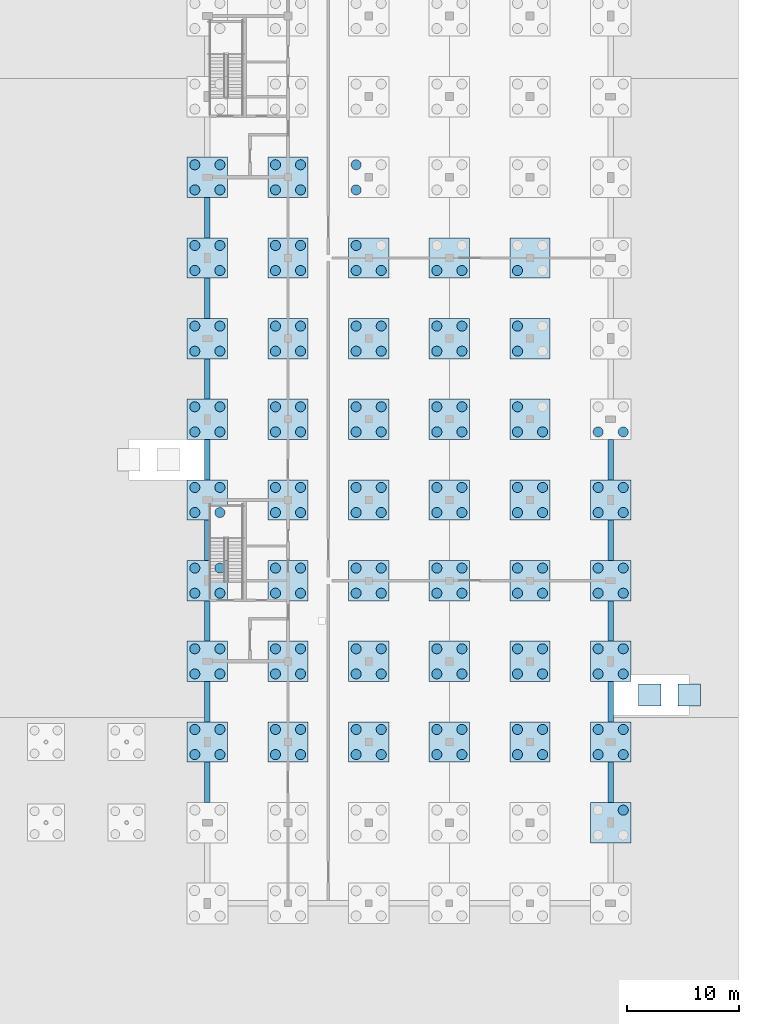
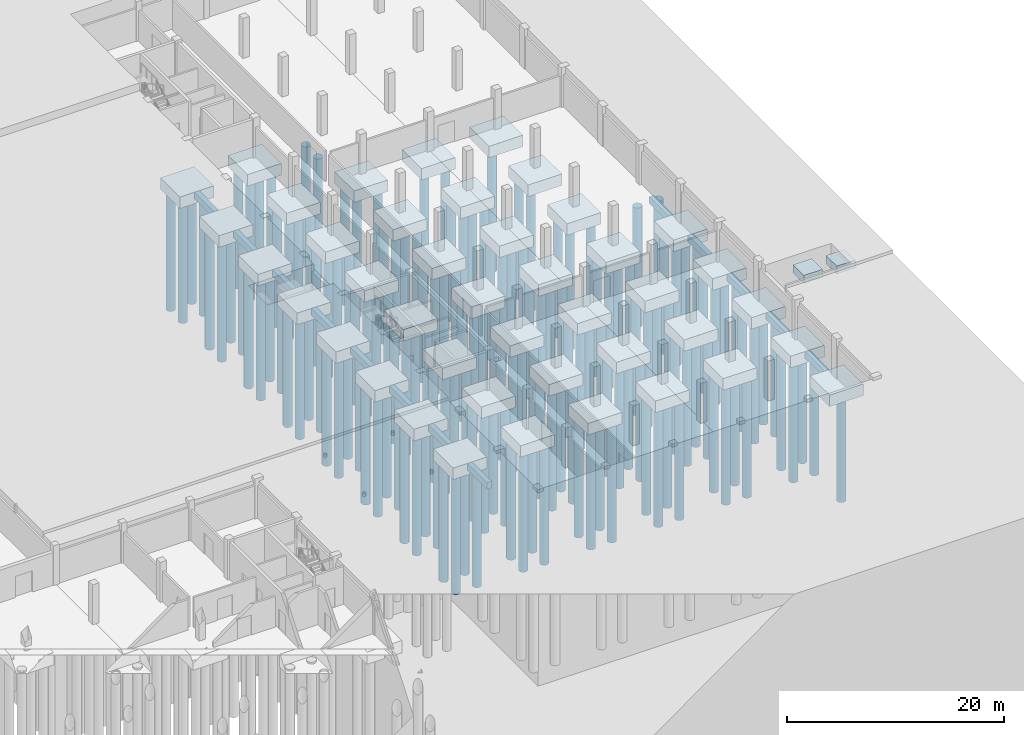
# One storey, part 7 of 51: 160 piles, 57 footings.
"""IFC4 building model written with IfcOpenShell, lengths in metres."""

from ifc_helpers import new_model, si_unit, direction, frame, origin, origin_2d, place, context, subcontext, project, spatial, rectangle, circle, extrude, material, material_profile, profile_set, type_object, element, save


model = new_model("IFC4")

# Units and contexts
model_context = context("Model", 3, precision=1e-05, world=origin(), true_north=direction((0.0, 1.0)))
body_context = subcontext(model_context, "Body", "Model", "MODEL_VIEW")
ifc_project = project(units=[si_unit("LENGTHUNIT", "METRE"), si_unit("AREAUNIT", "SQUARE_METRE"), si_unit("VOLUMEUNIT", "CUBIC_METRE"), si_unit("PLANEANGLEUNIT", "RADIAN"), si_unit("MASSUNIT", "GRAM", prefix="KILO")], contexts=[model_context])

# Site, building, storey
site_placement = place(None, origin())
site = spatial("IfcSite", under=ifc_project, at=site_placement, CompositionType="ELEMENT")
building_placement = place(site_placement, origin())
building = spatial("IfcBuilding", under=site, at=building_placement, Name="Zlatovets Crest Museum", CompositionType="ELEMENT")
storey_placement = place(building_placement, frame((0.0, 0.0, -4.5)))
storey = spatial("IfcBuildingStorey", under=building, at=storey_placement, Name="B1", CompositionType="ELEMENT", Elevation=-4.5)

# Piles
ifc_material = material(Name="Concrete C35/45", Category="concrete")
ifc_material_profile_1 = material_profile(ifc_material, circle(Radius=0.449951171875, at=origin_2d()), Name="PILE D900")
ifc_profile_set_1 = profile_set([ifc_material_profile_1], Name="Concrete C35/45")
pile_type = type_object("IfcPileType", Name="BoredPile_PL-04", PredefinedType="BORED", material=ifc_profile_set_1)
for number, where, z_axis, x_axis, name in (
    (1, (128.47998046875, 27.679931640625, -1.550048828125), (0.0, 0.0, -1.0), (1.0, 0.0, 0.0), "Bored pile PL-04 V5-X00Y02.1"),
    (2, (128.47998046875, 29.919921875, -1.550048828125), (0.0, 0.0, -1.0), (1.0, 0.0, 0.0), "Bored pile PL-04 V5-X00Y02.2"),
    (3, (130.719970703125, 27.679931640625, -1.550048828125), (0.0, 0.0, -1.0), (1.0, 0.0, 0.0), "Bored pile PL-04 V5-X00Y02.3"),
    (4, (130.719970703125, 29.919921875, -1.550048828125), (0.0, 0.0, -1.0), (1.0, 0.0, 0.0), "Bored pile PL-04 V5-X00Y02.4"),
    (5, (128.47998046875, 34.8798828125, -1.550048828125), (0.0, 0.0, -1.0), (1.0, 0.0, 0.0), "Bored pile PL-04 V5-X00Y03.1"),
    (6, (128.47998046875, 37.1201171875, -1.550048828125), (0.0, 0.0, -1.0), (1.0, 0.0, 0.0), "Bored pile PL-04 V5-X00Y03.2"),
    (7, (130.719970703125, 34.8798828125, -1.550048828125), (0.0, 0.0, -1.0), (1.0, 0.0, 0.0), "Bored pile PL-04 V5-X00Y03.3"),
    (8, (130.719970703125, 37.1201171875, -1.550048828125), (0.0, 0.0, -1.0), (1.0, 0.0, 0.0), "Bored pile PL-04 V5-X00Y03.4"),
    (9, (128.47998046875, 42.080078125, -1.550048828125), (0.0, 0.0, -1.0), (1.0, 0.0, 0.0), "Bored pile PL-04 V5-X00Y04.1"),
    (10, (128.47998046875, 44.320068359375, -1.550048828125), (0.0, 0.0, -1.0), (1.0, 0.0, 0.0), "Bored pile PL-04 V5-X00Y04.2"),
    (11, (130.719970703125, 42.080078125, -1.550048828125), (0.0, 0.0, -1.0), (1.0, 0.0, 0.0), "Bored pile PL-04 V5-X00Y04.3"),
    (12, (130.719970703125, 44.320068359375, -1.550048828125), (0.0, 0.0, -1.0), (1.0, 0.0, 0.0), "Bored pile PL-04 V5-X00Y04.4"),
    (13, (128.47998046875, 49.280029296875, -1.550048828125), (0.0, 0.0, -1.0), (1.0, 0.0, 0.0), "Bored pile PL-04 V5-X00Y05.1"),
    (14, (128.47998046875, 51.52001953125, -1.550048828125), (0.0, 0.0, -1.0), (1.0, 0.0, 0.0), "Bored pile PL-04 V5-X00Y05.2"),
    (15, (130.719970703125, 49.280029296875, -1.550048828125), (0.0, 0.0, -1.0), (1.0, 0.0, 0.0), "Bored pile PL-04 V5-X00Y05.3"),
    (16, (130.719970703125, 51.52001953125, -1.550048828125), (0.0, 0.0, -1.0), (1.0, 0.0, 0.0), "Bored pile PL-04 V5-X00Y05.4"),
    (17, (128.47998046875, 56.47998046875, -1.550048828125), (0.0, 0.0, -1.0), (1.0, 0.0, 0.0), "Bored pile PL-04 V5-X00Y06.1"),
    (18, (128.47998046875, 58.719970703125, -1.550048828125), (0.0, 0.0, -1.0), (1.0, 0.0, 0.0), "Bored pile PL-04 V5-X00Y06.2"),
    (19, (130.719970703125, 56.47998046875, -1.550048828125), (0.0, 0.0, -1.0), (1.0, 0.0, 0.0), "Bored pile PL-04 V5-X00Y06.3"),
    (20, (130.719970703125, 58.719970703125, -1.550048828125), (0.0, 0.0, -1.0), (1.0, 0.0, 0.0), "Bored pile PL-04 V5-X00Y06.4"),
    (21, (128.47998046875, 63.679931640625, -1.550048828125), (0.0, 0.0, -1.0), (1.0, 0.0, 0.0), "Bored pile PL-04 V5-X00Y07.1"),
    (22, (128.47998046875, 65.919921875, -1.550048828125), (0.0, 0.0, -1.0), (1.0, 0.0, 0.0), "Bored pile PL-04 V5-X00Y07.2"),
    (23, (130.719970703125, 63.679931640625, -1.550048828125), (0.0, 0.0, -1.0), (1.0, 0.0, 0.0), "Bored pile PL-04 V5-X00Y07.3"),
    (24, (130.719970703125, 65.919921875, -1.550048828125), (0.0, 0.0, -1.0), (1.0, 0.0, 0.0), "Bored pile PL-04 V5-X00Y07.4"),
    (25, (128.47998046875, 70.8798828125, -1.550048828125), (0.0, 0.0, -1.0), (1.0, 0.0, 0.0), "Bored pile PL-04 V5-X00Y08.1"),
    (26, (128.47998046875, 73.1201171875, -1.550048828125), (0.0, 0.0, -1.0), (1.0, 0.0, 0.0), "Bored pile PL-04 V5-X00Y08.2"),
    (27, (130.719970703125, 70.8798828125, -1.550048828125), (0.0, 0.0, -1.0), (1.0, 0.0, 0.0), "Bored pile PL-04 V5-X00Y08.3"),
    (28, (130.719970703125, 73.1201171875, -1.550048828125), (0.0, 0.0, -1.0), (1.0, 0.0, 0.0), "Bored pile PL-04 V5-X00Y08.4"),
    (29, (128.47998046875, 78.080078125, -1.550048828125), (0.0, 0.0, -1.0), (1.0, 0.0, 0.0), "Bored pile PL-04 V5-X00Y09.1"),
    (30, (128.47998046875, 80.320068359375, -1.550048828125), (0.0, 0.0, -1.0), (1.0, 0.0, 0.0), "Bored pile PL-04 V5-X00Y09.2"),
    (31, (130.719970703125, 78.080078125, -1.550048828125), (0.0, 0.0, -1.0), (1.0, 0.0, 0.0), "Bored pile PL-04 V5-X00Y09.3"),
    (32, (130.719970703125, 80.320068359375, -1.550048828125), (0.0, 0.0, -1.0), (1.0, 0.0, 0.0), "Bored pile PL-04 V5-X00Y09.4"),
    (33, (135.679931640625, 27.679931640625, -1.550048828125), (0.0, 0.0, -1.0), (1.0, 0.0, 0.0), "Bored pile PL-04 V5-X01Y02.1"),
    (34, (135.679931640625, 29.919921875, -1.550048828125), (0.0, 0.0, -1.0), (1.0, 0.0, 0.0), "Bored pile PL-04 V5-X01Y02.2"),
    (35, (137.919921875, 27.679931640625, -1.550048828125), (0.0, 0.0, -1.0), (1.0, 0.0, 0.0), "Bored pile PL-04 V5-X01Y02.3"),
    (36, (137.919921875, 29.919921875, -1.550048828125), (0.0, 0.0, -1.0), (1.0, 0.0, 0.0), "Bored pile PL-04 V5-X01Y02.4"),
    (37, (135.679931640625, 34.8798828125, -1.550048828125), (0.0, 0.0, -1.0), (1.0, 0.0, 0.0), "Bored pile PL-04 V5-X01Y03.1"),
    (38, (135.679931640625, 37.1201171875, -1.550048828125), (0.0, 0.0, -1.0), (1.0, 0.0, 0.0), "Bored pile PL-04 V5-X01Y03.2"),
    (39, (137.919921875, 34.8798828125, -1.550048828125), (0.0, 0.0, -1.0), (1.0, 0.0, 0.0), "Bored pile PL-04 V5-X01Y03.3"),
    (40, (137.919921875, 37.1201171875, -1.550048828125), (0.0, 0.0, -1.0), (1.0, 0.0, 0.0), "Bored pile PL-04 V5-X01Y03.4"),
    (41, (135.679931640625, 42.080078125, -1.550048828125), (0.0, 0.0, -1.0), (1.0, 0.0, 0.0), "Bored pile PL-04 V5-X01Y04.1"),
    (42, (135.679931640625, 44.320068359375, -1.550048828125), (0.0, 0.0, -1.0), (1.0, 0.0, 0.0), "Bored pile PL-04 V5-X01Y04.2"),
    (43, (137.919921875, 42.080078125, -1.550048828125), (0.0, 0.0, -1.0), (1.0, 0.0, 0.0), "Bored pile PL-04 V5-X01Y04.3"),
    (44, (137.919921875, 44.320068359375, -1.550048828125), (0.0, 0.0, -1.0), (1.0, 0.0, 0.0), "Bored pile PL-04 V5-X01Y04.4"),
    (45, (135.679931640625, 49.280029296875, -1.550048828125), (0.0, 0.0, -1.0), (1.0, 0.0, 0.0), "Bored pile PL-04 V5-X01Y05.1"),
    (46, (135.679931640625, 51.52001953125, -1.550048828125), (0.0, 0.0, -1.0), (1.0, 0.0, 0.0), "Bored pile PL-04 V5-X01Y05.2"),
    (47, (137.919921875, 49.280029296875, -1.550048828125), (0.0, 0.0, -1.0), (1.0, 0.0, 0.0), "Bored pile PL-04 V5-X01Y05.3"),
    (48, (137.919921875, 51.52001953125, -1.550048828125), (0.0, 0.0, -1.0), (1.0, 0.0, 0.0), "Bored pile PL-04 V5-X01Y05.4"),
    (49, (135.679931640625, 56.47998046875, -1.550048828125), (0.0, 0.0, -1.0), (1.0, 0.0, 0.0), "Bored pile PL-04 V5-X01Y06.1"),
    (50, (135.679931640625, 58.719970703125, -1.550048828125), (0.0, 0.0, -1.0), (1.0, 0.0, 0.0), "Bored pile PL-04 V5-X01Y06.2"),
    (51, (137.919921875, 56.47998046875, -1.550048828125), (0.0, 0.0, -1.0), (1.0, 0.0, 0.0), "Bored pile PL-04 V5-X01Y06.3"),
    (52, (137.919921875, 58.719970703125, -1.550048828125), (0.0, 0.0, -1.0), (1.0, 0.0, 0.0), "Bored pile PL-04 V5-X01Y06.4"),
    (53, (135.679931640625, 63.679931640625, -1.550048828125), (0.0, 0.0, -1.0), (1.0, 0.0, 0.0), "Bored pile PL-04 V5-X01Y07.1"),
    (54, (135.679931640625, 65.919921875, -1.550048828125), (0.0, 0.0, -1.0), (1.0, 0.0, 0.0), "Bored pile PL-04 V5-X01Y07.2"),
    (55, (137.919921875, 63.679931640625, -1.550048828125), (0.0, 0.0, -1.0), (1.0, 0.0, 0.0), "Bored pile PL-04 V5-X01Y07.3"),
    (56, (137.919921875, 65.919921875, -1.550048828125), (0.0, 0.0, -1.0), (1.0, 0.0, 0.0), "Bored pile PL-04 V5-X01Y07.4"),
    (57, (135.679931640625, 70.8798828125, -1.550048828125), (0.0, 0.0, -1.0), (1.0, 0.0, 0.0), "Bored pile PL-04 V5-X01Y08.1"),
    (58, (135.679931640625, 73.1201171875, -1.550048828125), (0.0, 0.0, -1.0), (1.0, 0.0, 0.0), "Bored pile PL-04 V5-X01Y08.2"),
    (59, (137.919921875, 70.8798828125, -1.550048828125), (0.0, 0.0, -1.0), (1.0, 0.0, 0.0), "Bored pile PL-04 V5-X01Y08.3"),
    (60, (137.919921875, 73.1201171875, -1.550048828125), (0.0, 0.0, -1.0), (1.0, 0.0, 0.0), "Bored pile PL-04 V5-X01Y08.4"),
    (61, (135.679931640625, 78.080078125, -1.550048828125), (0.0, 0.0, -1.0), (1.0, 0.0, 0.0), "Bored pile PL-04 V5-X01Y09.1"),
    (62, (135.679931640625, 80.320068359375, -1.550048828125), (0.0, 0.0, -1.0), (1.0, 0.0, 0.0), "Bored pile PL-04 V5-X01Y09.2"),
    (63, (137.919921875, 78.080078125, -1.550048828125), (0.0, 0.0, -1.0), (1.0, 0.0, 0.0), "Bored pile PL-04 V5-X01Y09.3"),
    (64, (137.919921875, 80.320068359375, -1.550048828125), (0.0, 0.0, -1.0), (1.0, 0.0, 0.0), "Bored pile PL-04 V5-X01Y09.4"),
    (65, (142.8798828125, 27.679931640625, -1.550048828125), (0.0, 0.0, -1.0), (1.0, 0.0, 0.0), "Bored pile PL-04 V5-X02Y02.1"),
    (66, (142.8798828125, 29.919921875, -1.550048828125), (0.0, 0.0, -1.0), (1.0, 0.0, 0.0), "Bored pile PL-04 V5-X02Y02.2"),
    (67, (145.1201171875, 27.679931640625, -1.550048828125), (0.0, 0.0, -1.0), (1.0, 0.0, 0.0), "Bored pile PL-04 V5-X02Y02.3"),
    (68, (145.1201171875, 29.919921875, -1.550048828125), (0.0, 0.0, -1.0), (1.0, 0.0, 0.0), "Bored pile PL-04 V5-X02Y02.4"),
    (69, (142.8798828125, 34.8798828125, -1.550048828125), (0.0, 0.0, -1.0), (1.0, 0.0, 0.0), "Bored pile PL-04 V5-X02Y03.1"),
    (70, (142.8798828125, 37.1201171875, -1.550048828125), (0.0, 0.0, -1.0), (1.0, 0.0, 0.0), "Bored pile PL-04 V5-X02Y03.2"),
    (71, (145.1201171875, 34.8798828125, -1.550048828125), (0.0, 0.0, -1.0), (1.0, 0.0, 0.0), "Bored pile PL-04 V5-X02Y03.3"),
    (72, (145.1201171875, 37.1201171875, -1.550048828125), (0.0, 0.0, -1.0), (1.0, 0.0, 0.0), "Bored pile PL-04 V5-X02Y03.4"),
    (73, (142.8798828125, 42.080078125, -1.550048828125), (0.0, 0.0, -1.0), (1.0, 0.0, 0.0), "Bored pile PL-04 V5-X02Y04.1"),
    (74, (142.8798828125, 44.320068359375, -1.550048828125), (0.0, 0.0, -1.0), (1.0, 0.0, 0.0), "Bored pile PL-04 V5-X02Y04.2"),
    (75, (145.1201171875, 42.080078125, -1.550048828125), (0.0, 0.0, -1.0), (1.0, 0.0, 0.0), "Bored pile PL-04 V5-X02Y04.3"),
    (76, (145.1201171875, 44.320068359375, -1.550048828125), (0.0, 0.0, -1.0), (1.0, 0.0, 0.0), "Bored pile PL-04 V5-X02Y04.4"),
    (77, (142.8798828125, 49.280029296875, -1.550048828125), (0.0, 0.0, -1.0), (1.0, 0.0, 0.0), "Bored pile PL-04 V5-X02Y05.1"),
    (78, (142.8798828125, 51.52001953125, -1.550048828125), (0.0, 0.0, -1.0), (1.0, 0.0, 0.0), "Bored pile PL-04 V5-X02Y05.2"),
    (79, (145.1201171875, 49.280029296875, -1.550048828125), (0.0, 0.0, -1.0), (1.0, 0.0, 0.0), "Bored pile PL-04 V5-X02Y05.3"),
    (80, (145.1201171875, 51.52001953125, -1.550048828125), (0.0, 0.0, -1.0), (1.0, 0.0, 0.0), "Bored pile PL-04 V5-X02Y05.4"),
    (81, (142.8798828125, 56.47998046875, -1.550048828125), (0.0, 0.0, -1.0), (1.0, 0.0, 0.0), "Bored pile PL-04 V5-X02Y06.1"),
    (82, (142.8798828125, 58.719970703125, -1.550048828125), (0.0, 0.0, -1.0), (1.0, 0.0, 0.0), "Bored pile PL-04 V5-X02Y06.2"),
    (83, (145.1201171875, 56.47998046875, -1.550048828125), (0.0, 0.0, -1.0), (1.0, 0.0, 0.0), "Bored pile PL-04 V5-X02Y06.3"),
    (84, (145.1201171875, 58.719970703125, -1.550048828125), (0.0, 0.0, -1.0), (1.0, 0.0, 0.0), "Bored pile PL-04 V5-X02Y06.4"),
    (85, (142.8798828125, 63.679931640625, -1.550048828125), (0.0, 0.0, -1.0), (1.0, 0.0, 0.0), "Bored pile PL-04 V5-X02Y07.1"),
    (86, (142.8798828125, 65.919921875, -1.550048828125), (0.0, 0.0, -1.0), (1.0, 0.0, 0.0), "Bored pile PL-04 V5-X02Y07.2"),
    (87, (145.1201171875, 63.679931640625, -1.550048828125), (0.0, 0.0, -1.0), (1.0, 0.0, 0.0), "Bored pile PL-04 V5-X02Y07.3"),
    (88, (145.1201171875, 65.919921875, -1.550048828125), (0.0, 0.0, -1.0), (1.0, 0.0, 0.0), "Bored pile PL-04 V5-X02Y07.4"),
    (89, (142.8798828125, 70.8798828125, -1.550048828125), (0.0, 0.0, -1.0), (1.0, 0.0, 0.0), "Bored pile PL-04 V5-X02Y08.1"),
    (90, (142.8798828125, 73.1201171875, -1.550048828125), (0.0, 0.0, -1.0), (1.0, 0.0, 0.0), "Bored pile PL-04 V5-X02Y08.2"),
    (91, (145.1201171875, 70.8798828125, -1.550048828125), (0.0, 0.0, -1.0), (1.0, 0.0, 0.0), "Bored pile PL-04 V5-X02Y08.3"),
    (92, (142.8798828125, 78.080078125, -1.550048828125), (0.0, 0.0, -1.0), (1.0, 0.0, 0.0), "Bored pile PL-04 V5-X02Y09.1"),
    (93, (142.8798828125, 80.320068359375, -1.550048828125), (0.0, 0.0, -1.0), (1.0, 0.0, 0.0), "Bored pile PL-04 V5-X02Y09.2"),
    (94, (150.080078125, 27.679931640625, -1.550048828125), (0.0, 0.0, -1.0), (1.0, 0.0, 0.0), "Bored pile PL-04 V5-X03Y02.1"),
    (95, (150.080078125, 29.919921875, -1.550048828125), (0.0, 0.0, -1.0), (1.0, 0.0, 0.0), "Bored pile PL-04 V5-X03Y02.2"),
    (96, (152.320068359375, 27.679931640625, -1.550048828125), (0.0, 0.0, -1.0), (1.0, 0.0, 0.0), "Bored pile PL-04 V5-X03Y02.3"),
    (97, (152.320068359375, 29.919921875, -1.550048828125), (0.0, 0.0, -1.0), (1.0, 0.0, 0.0), "Bored pile PL-04 V5-X03Y02.4"),
    (98, (150.080078125, 34.8798828125, -1.550048828125), (0.0, 0.0, -1.0), (1.0, 0.0, 0.0), "Bored pile PL-04 V5-X03Y03.1"),
    (99, (150.080078125, 37.1201171875, -1.550048828125), (0.0, 0.0, -1.0), (1.0, 0.0, 0.0), "Bored pile PL-04 V5-X03Y03.2"),
    (100, (152.320068359375, 34.8798828125, -1.550048828125), (0.0, 0.0, -1.0), (1.0, 0.0, 0.0), "Bored pile PL-04 V5-X03Y03.3"),
    (101, (152.320068359375, 37.1201171875, -1.550048828125), (0.0, 0.0, -1.0), (1.0, 0.0, 0.0), "Bored pile PL-04 V5-X03Y03.4"),
    (102, (150.080078125, 42.080078125, -1.550048828125), (0.0, 0.0, -1.0), (1.0, 0.0, 0.0), "Bored pile PL-04 V5-X03Y04.1"),
    (103, (150.080078125, 44.320068359375, -1.550048828125), (0.0, 0.0, -1.0), (1.0, 0.0, 0.0), "Bored pile PL-04 V5-X03Y04.2"),
    (104, (152.320068359375, 42.080078125, -1.550048828125), (0.0, 0.0, -1.0), (1.0, 0.0, 0.0), "Bored pile PL-04 V5-X03Y04.3"),
    (105, (152.320068359375, 44.320068359375, -1.550048828125), (0.0, 0.0, -1.0), (1.0, 0.0, 0.0), "Bored pile PL-04 V5-X03Y04.4"),
    (106, (150.080078125, 49.280029296875, -1.550048828125), (0.0, 0.0, -1.0), (1.0, 0.0, 0.0), "Bored pile PL-04 V5-X03Y05.1"),
    (107, (150.080078125, 51.52001953125, -1.550048828125), (0.0, 0.0, -1.0), (1.0, 0.0, 0.0), "Bored pile PL-04 V5-X03Y05.2"),
    (108, (152.320068359375, 49.280029296875, -1.550048828125), (0.0, 0.0, -1.0), (1.0, 0.0, 0.0), "Bored pile PL-04 V5-X03Y05.3"),
    (109, (152.320068359375, 51.52001953125, -1.550048828125), (0.0, 0.0, -1.0), (1.0, 0.0, 0.0), "Bored pile PL-04 V5-X03Y05.4"),
    (110, (150.080078125, 56.47998046875, -1.550048828125), (0.0, 0.0, -1.0), (1.0, 0.0, 0.0), "Bored pile PL-04 V5-X03Y06.1"),
    (111, (150.080078125, 58.719970703125, -1.550048828125), (0.0, 0.0, -1.0), (1.0, 0.0, 0.0), "Bored pile PL-04 V5-X03Y06.2"),
    (112, (152.320068359375, 56.47998046875, -1.550048828125), (0.0, 0.0, -1.0), (1.0, 0.0, 0.0), "Bored pile PL-04 V5-X03Y06.3"),
    (113, (152.320068359375, 58.719970703125, -1.550048828125), (0.0, 0.0, -1.0), (1.0, 0.0, 0.0), "Bored pile PL-04 V5-X03Y06.4"),
    (114, (150.080078125, 63.679931640625, -1.550048828125), (0.0, 0.0, -1.0), (1.0, 0.0, 0.0), "Bored pile PL-04 V5-X03Y07.1"),
    (115, (150.080078125, 65.919921875, -1.550048828125), (0.0, 0.0, -1.0), (1.0, 0.0, 0.0), "Bored pile PL-04 V5-X03Y07.2"),
    (116, (152.320068359375, 63.679931640625, -1.550048828125), (0.0, 0.0, -1.0), (1.0, 0.0, 0.0), "Bored pile PL-04 V5-X03Y07.3"),
    (117, (152.320068359375, 65.919921875, -1.550048828125), (0.0, 0.0, -1.0), (1.0, 0.0, 0.0), "Bored pile PL-04 V5-X03Y07.4"),
    (118, (150.080078125, 70.8798828125, -1.550048828125), (0.0, 0.0, -1.0), (1.0, 0.0, 0.0), "Bored pile PL-04 V5-X03Y08.1"),
    (119, (152.320068359375, 70.8798828125, -1.550048828125), (0.0, 0.0, -1.0), (1.0, 0.0, 0.0), "Bored pile PL-04 V5-X03Y08.3"),
    (120, (157.280029296875, 27.679931640625, -1.550048828125), (0.0, 0.0, -1.0), (1.0, 0.0, 0.0), "Bored pile PL-04 V5-X04Y02.1"),
    (121, (157.280029296875, 29.919921875, -1.550048828125), (0.0, 0.0, -1.0), (1.0, 0.0, 0.0), "Bored pile PL-04 V5-X04Y02.2"),
    (122, (159.52001953125, 27.679931640625, -1.550048828125), (0.0, 0.0, -1.0), (1.0, 0.0, 0.0), "Bored pile PL-04 V5-X04Y02.3"),
    (123, (159.52001953125, 29.919921875, -1.550048828125), (0.0, 0.0, -1.0), (1.0, 0.0, 0.0), "Bored pile PL-04 V5-X04Y02.4"),
    (124, (157.280029296875, 34.8798828125, -1.550048828125), (0.0, 0.0, -1.0), (1.0, 0.0, 0.0), "Bored pile PL-04 V5-X04Y03.1"),
    (125, (157.280029296875, 37.1201171875, -1.550048828125), (0.0, 0.0, -1.0), (1.0, 0.0, 0.0), "Bored pile PL-04 V5-X04Y03.2"),
    (126, (159.52001953125, 34.8798828125, -1.550048828125), (0.0, 0.0, -1.0), (1.0, 0.0, 0.0), "Bored pile PL-04 V5-X04Y03.3"),
    (127, (159.52001953125, 37.1201171875, -1.550048828125), (0.0, 0.0, -1.0), (1.0, 0.0, 0.0), "Bored pile PL-04 V5-X04Y03.4"),
    (128, (157.280029296875, 42.080078125, -1.550048828125), (0.0, 0.0, -1.0), (1.0, 0.0, 0.0), "Bored pile PL-04 V5-X04Y04.1"),
    (129, (157.280029296875, 44.320068359375, -1.550048828125), (0.0, 0.0, -1.0), (1.0, 0.0, 0.0), "Bored pile PL-04 V5-X04Y04.2"),
    (130, (159.52001953125, 42.080078125, -1.550048828125), (0.0, 0.0, -1.0), (1.0, 0.0, 0.0), "Bored pile PL-04 V5-X04Y04.3"),
    (131, (159.52001953125, 44.320068359375, -1.550048828125), (0.0, 0.0, -1.0), (1.0, 0.0, 0.0), "Bored pile PL-04 V5-X04Y04.4"),
    (132, (157.280029296875, 49.280029296875, -1.550048828125), (0.0, 0.0, -1.0), (1.0, 0.0, 0.0), "Bored pile PL-04 V5-X04Y05.1"),
    (133, (157.280029296875, 51.52001953125, -1.550048828125), (0.0, 0.0, -1.0), (1.0, 0.0, 0.0), "Bored pile PL-04 V5-X04Y05.2"),
    (134, (159.52001953125, 49.280029296875, -1.550048828125), (0.0, 0.0, -1.0), (1.0, 0.0, 0.0), "Bored pile PL-04 V5-X04Y05.3"),
    (135, (159.52001953125, 51.52001953125, -1.550048828125), (0.0, 0.0, -1.0), (1.0, 0.0, 0.0), "Bored pile PL-04 V5-X04Y05.4"),
    (136, (157.280029296875, 56.47998046875, -1.550048828125), (0.0, 0.0, -1.0), (1.0, 0.0, 0.0), "Bored pile PL-04 V5-X04Y06.1"),
    (137, (157.280029296875, 58.719970703125, -1.550048828125), (0.0, 0.0, -1.0), (1.0, 0.0, 0.0), "Bored pile PL-04 V5-X04Y06.2"),
    (138, (159.52001953125, 56.47998046875, -1.550048828125), (0.0, 0.0, -1.0), (1.0, 0.0, 0.0), "Bored pile PL-04 V5-X04Y06.3"),
    (139, (157.280029296875, 63.679931640625, -1.550048828125), (0.0, 0.0, -1.0), (1.0, 0.0, 0.0), "Bored pile PL-04 V5-X04Y07.1"),
    (140, (157.280029296875, 65.919921875, -1.550048828125), (0.0, 0.0, -1.0), (1.0, 0.0, 0.0), "Bored pile PL-04 V5-X04Y07.2"),
    (141, (157.280029296875, 70.8798828125, -1.550048828125), (0.0, 0.0, -1.0), (1.0, 0.0, 0.0), "Bored pile PL-04 V5-X04Y08.1"),
    (142, (166.719970703125, 22.719970703125, -1.550048828125), (0.0, 0.0, -1.0), (1.0, 0.0, 0.0), "Bored pile PL-04 V5-X05Y01.4"),
    (143, (164.47998046875, 27.679931640625, -1.550048828125), (0.0, 0.0, -1.0), (1.0, 0.0, 0.0), "Bored pile PL-04 V5-X05Y02.1"),
    (144, (164.47998046875, 29.919921875, -1.550048828125), (0.0, 0.0, -1.0), (1.0, 0.0, 0.0), "Bored pile PL-04 V5-X05Y02.2"),
    (145, (166.719970703125, 27.679931640625, -1.550048828125), (0.0, 0.0, -1.0), (1.0, 0.0, 0.0), "Bored pile PL-04 V5-X05Y02.3"),
    (146, (166.719970703125, 29.919921875, -1.550048828125), (0.0, 0.0, -1.0), (1.0, 0.0, 0.0), "Bored pile PL-04 V5-X05Y02.4"),
    (147, (164.47998046875, 34.8798828125, -1.550048828125), (0.0, 0.0, -1.0), (1.0, 0.0, 0.0), "Bored pile PL-04 V5-X05Y03.1"),
    (148, (164.47998046875, 37.1201171875, -1.550048828125), (0.0, 0.0, -1.0), (1.0, 0.0, 0.0), "Bored pile PL-04 V5-X05Y03.2"),
    (149, (166.719970703125, 34.8798828125, -1.550048828125), (0.0, 0.0, -1.0), (1.0, 0.0, 0.0), "Bored pile PL-04 V5-X05Y03.3"),
    (150, (166.719970703125, 37.1201171875, -1.550048828125), (0.0, 0.0, -1.0), (1.0, 0.0, 0.0), "Bored pile PL-04 V5-X05Y03.4"),
    (151, (164.47998046875, 42.080078125, -1.550048828125), (0.0, 0.0, -1.0), (1.0, 0.0, 0.0), "Bored pile PL-04 V5-X05Y04.1"),
    (152, (164.47998046875, 44.320068359375, -1.550048828125), (0.0, 0.0, -1.0), (1.0, 0.0, 0.0), "Bored pile PL-04 V5-X05Y04.2"),
    (153, (166.719970703125, 42.080078125, -1.550048828125), (0.0, 0.0, -1.0), (1.0, 0.0, 0.0), "Bored pile PL-04 V5-X05Y04.3"),
    (154, (166.719970703125, 44.320068359375, -1.550048828125), (0.0, 0.0, -1.0), (1.0, 0.0, 0.0), "Bored pile PL-04 V5-X05Y04.4"),
    (155, (164.47998046875, 49.280029296875, -1.550048828125), (0.0, 0.0, -1.0), (1.0, 0.0, 0.0), "Bored pile PL-04 V5-X05Y05.1"),
    (156, (164.47998046875, 51.52001953125, -1.550048828125), (0.0, 0.0, -1.0), (1.0, 0.0, 0.0), "Bored pile PL-04 V5-X05Y05.2"),
    (157, (166.719970703125, 49.280029296875, -1.550048828125), (0.0, 0.0, -1.0), (1.0, 0.0, 0.0), "Bored pile PL-04 V5-X05Y05.3"),
    (158, (166.719970703125, 51.52001953125, -1.550048828125), (0.0, 0.0, -1.0), (1.0, 0.0, 0.0), "Bored pile PL-04 V5-X05Y05.4"),
    (159, (164.47998046875, 56.47998046875, -1.550048828125), (0.0, 0.0, -1.0), (1.0, 0.0, 0.0), "Bored pile PL-04 V5-X05Y06.1"),
    (160, (166.719970703125, 56.47998046875, -1.550048828125), (0.0, 0.0, -1.0), (1.0, 0.0, 0.0), "Bored pile PL-04 V5-X05Y06.3"),
):
    element("IfcPile", number, at=place(storey_placement, frame(where, z_axis=z_axis, x_axis=x_axis)), inside=storey, type_object=pile_type, Name=name, PredefinedType="BORED", context=body_context, shape_type="SweptSolid", body=[
        extrude(circle(Radius=0.449951171875, at=origin_2d()), origin(), (0.0, 0.0, 1.0), 13.5),
    ])

# Footings
ifc_material_profile_2 = material_profile(ifc_material, rectangle(XDim=0.5, YDim=0.75, at=origin_2d()), Name="RC 500x750")
ifc_profile_set_2 = profile_set([ifc_material_profile_2], Name="Concrete C35/45")
footing_type_1 = type_object("IfcFootingType", Name="GroundBeam_GB-01", PredefinedType="FOOTING_BEAM", material=ifc_profile_set_2)
footing_1_placement = place(storey_placement, frame((129.60009765625, 23.39990234375, -0.824951171875), z_axis=(0.0, 1.0, 0.0), x_axis=(-1.0, 0.0, 0.0)))
element("IfcFooting", 161, at=footing_1_placement, inside=storey, type_object=footing_type_1, Name="Ground tie-beam GB-01", PredefinedType="FOOTING_BEAM", context=body_context, shape_type="SweptSolid", body=[
    extrude(rectangle(XDim=0.5, YDim=0.75, at=origin_2d()), origin(), (0.0, 0.0, 1.0), 3.60009765625),
])
for number, where, z_axis, x_axis, name in (
    (162, (129.60009765625, 30.60009765625, -0.824951171875), (0.0, 1.0, 0.0), (-1.0, 0.0, 0.0), "Ground tie-beam GB-01"),
    (163, (129.60009765625, 37.800048828125, -0.824951171875), (0.0, 1.0, 0.0), (-1.0, 0.0, 0.0), "Ground tie-beam GB-01"),
):
    element("IfcFooting", number, at=place(storey_placement, frame(where, z_axis=z_axis, x_axis=x_axis)), inside=storey, type_object=footing_type_1, Name=name, PredefinedType="FOOTING_BEAM", context=body_context, shape_type="SweptSolid", body=[
        extrude(rectangle(XDim=0.5, YDim=0.75, at=origin_2d()), origin(), (0.0, 0.0, 1.0), 3.599853515625),
    ])
for number, where, z_axis, x_axis, name in (
    (164, (129.60009765625, 45.0, -0.824951171875), (0.0, 1.0, 0.0), (-1.0, 0.0, 0.0), "Ground tie-beam GB-01"),
    (165, (129.60009765625, 52.199951171875, -0.824951171875), (0.0, 1.0, 0.0), (-1.0, 0.0, 0.0), "Ground tie-beam GB-01"),
    (166, (129.60009765625, 59.39990234375, -0.824951171875), (0.0, 1.0, 0.0), (-1.0, 0.0, 0.0), "Ground tie-beam GB-01"),
):
    element("IfcFooting", number, at=place(storey_placement, frame(where, z_axis=z_axis, x_axis=x_axis)), inside=storey, type_object=footing_type_1, Name=name, PredefinedType="FOOTING_BEAM", context=body_context, shape_type="SweptSolid", body=[
        extrude(rectangle(XDim=0.5, YDim=0.75, at=origin_2d()), origin(), (0.0, 0.0, 1.0), 3.60009765625),
    ])
for number, where, z_axis, x_axis, name in (
    (167, (129.60009765625, 66.60009765625, -0.824951171875), (0.0, 1.0, 0.0), (-1.0, 0.0, 0.0), "Ground tie-beam GB-01"),
    (168, (129.60009765625, 73.800048828125, -0.824951171875), (0.0, 1.0, 0.0), (-1.0, 0.0, 0.0), "Ground tie-beam GB-01"),
):
    element("IfcFooting", number, at=place(storey_placement, frame(where, z_axis=z_axis, x_axis=x_axis)), inside=storey, type_object=footing_type_1, Name=name, PredefinedType="FOOTING_BEAM", context=body_context, shape_type="SweptSolid", body=[
        extrude(rectangle(XDim=0.5, YDim=0.75, at=origin_2d()), origin(), (0.0, 0.0, 1.0), 3.599853515625),
    ])
footing_2_placement = place(storey_placement, frame((165.60009765625, 23.39990234375, -0.824951171875), z_axis=(0.0, 1.0, 0.0), x_axis=(-1.0, 0.0, 0.0)))
element("IfcFooting", 169, at=footing_2_placement, inside=storey, type_object=footing_type_1, Name="Ground tie-beam GB-01", PredefinedType="FOOTING_BEAM", context=body_context, shape_type="SweptSolid", body=[
    extrude(rectangle(XDim=0.5, YDim=0.75, at=origin_2d()), origin(), (0.0, 0.0, 1.0), 3.60009765625),
])
for number, where, z_axis, x_axis, name in (
    (170, (165.60009765625, 30.60009765625, -0.824951171875), (0.0, 1.0, 0.0), (-1.0, 0.0, 0.0), "Ground tie-beam GB-01"),
    (171, (165.60009765625, 37.800048828125, -0.824951171875), (0.0, 1.0, 0.0), (-1.0, 0.0, 0.0), "Ground tie-beam GB-01"),
):
    element("IfcFooting", number, at=place(storey_placement, frame(where, z_axis=z_axis, x_axis=x_axis)), inside=storey, type_object=footing_type_1, Name=name, PredefinedType="FOOTING_BEAM", context=body_context, shape_type="SweptSolid", body=[
        extrude(rectangle(XDim=0.5, YDim=0.75, at=origin_2d()), origin(), (0.0, 0.0, 1.0), 3.599853515625),
    ])
for number, where, z_axis, x_axis, name in (
    (172, (165.60009765625, 45.0, -0.824951171875), (0.0, 1.0, 0.0), (-1.0, 0.0, 0.0), "Ground tie-beam GB-01"),
    (173, (165.60009765625, 52.199951171875, -0.824951171875), (0.0, 1.0, 0.0), (-1.0, 0.0, 0.0), "Ground tie-beam GB-01"),
):
    element("IfcFooting", number, at=place(storey_placement, frame(where, z_axis=z_axis, x_axis=x_axis)), inside=storey, type_object=footing_type_1, Name=name, PredefinedType="FOOTING_BEAM", context=body_context, shape_type="SweptSolid", body=[
        extrude(rectangle(XDim=0.5, YDim=0.75, at=origin_2d()), origin(), (0.0, 0.0, 1.0), 3.60009765625),
    ])
footing_type_2 = type_object("IfcFootingType", Name="PadFooting_PF01", PredefinedType="PAD_FOOTING", material=ifc_material)
for number, where, z_axis, x_axis, name in (
    (174, (172.60009765625, 33.0, 3.050048828125), (0.0, 0.0, 1.0), (1.0, 0.0, 0.0), "East Courtyard Step-Free Pedestrian Ramp Toe Pad Footing"),
    (175, (169.10009765625, 33.0, 3.22998046875), (0.0, 0.0, 1.0), (1.0, 0.0, 0.0), "East Courtyard Step-Free Pedestrian Ramp Mid Pad Footing"),
):
    element("IfcFooting", number, at=place(storey_placement, frame(where, z_axis=z_axis, x_axis=x_axis)), inside=storey, type_object=footing_type_2, Name=name, PredefinedType="PAD_FOOTING", context=body_context, shape_type="SweptSolid", body=[
        extrude(rectangle(XDim=2.0, YDim=2.0, at=origin_2d()), origin(), (0.0, 0.0, 1.0), 0.89990234375),
    ])
footing_type_3 = type_object("IfcFootingType", Name="PileCap_PC-02", PredefinedType="PILE_CAP", material=ifc_material)
for number, where, z_axis, x_axis, name in (
    (176, (129.60009765625, 28.800048828125, -1.75), (0.0, 0.0, 1.0), (1.0, 0.0, 0.0), "Pile cap PC-02 at (129.6, 28.8)"),
    (177, (129.60009765625, 36.0, -1.75), (0.0, 0.0, 1.0), (1.0, 0.0, 0.0), "Pile cap PC-02 at (129.6, 36.0)"),
    (178, (129.60009765625, 43.199951171875, -1.75), (0.0, 0.0, 1.0), (1.0, 0.0, 0.0), "Pile cap PC-02 at (129.6, 43.2)"),
    (179, (129.60009765625, 50.39990234375, -1.75), (0.0, 0.0, 1.0), (1.0, 0.0, 0.0), "Pile cap PC-02 at (129.6, 50.4)"),
    (180, (129.60009765625, 57.60009765625, -1.75), (0.0, 0.0, 1.0), (1.0, 0.0, 0.0), "Pile cap PC-02 at (129.6, 57.6)"),
    (181, (129.60009765625, 64.800048828125, -1.75), (0.0, 0.0, 1.0), (1.0, 0.0, 0.0), "Pile cap PC-02 at (129.6, 64.8)"),
    (182, (129.60009765625, 72.0, -1.75), (0.0, 0.0, 1.0), (1.0, 0.0, 0.0), "Pile cap PC-02 at (129.6, 72.0)"),
    (183, (129.60009765625, 79.199951171875, -1.75), (0.0, 0.0, 1.0), (1.0, 0.0, 0.0), "Pile cap PC-02 at (129.6, 79.2)"),
    (184, (136.800048828125, 28.800048828125, -1.75), (0.0, 0.0, 1.0), (1.0, 0.0, 0.0), "Pile cap PC-02 at (136.8, 28.8)"),
    (185, (136.800048828125, 36.0, -1.75), (0.0, 0.0, 1.0), (1.0, 0.0, 0.0), "Pile cap PC-02 at (136.8, 36.0)"),
    (186, (136.800048828125, 43.199951171875, -1.75), (0.0, 0.0, 1.0), (1.0, 0.0, 0.0), "Pile cap PC-02 at (136.8, 43.2)"),
    (187, (136.800048828125, 50.39990234375, -1.75), (0.0, 0.0, 1.0), (1.0, 0.0, 0.0), "Pile cap PC-02 at (136.8, 50.4)"),
    (188, (136.800048828125, 57.60009765625, -1.75), (0.0, 0.0, 1.0), (1.0, 0.0, 0.0), "Pile cap PC-02 at (136.8, 57.6)"),
    (189, (136.800048828125, 64.800048828125, -1.75), (0.0, 0.0, 1.0), (1.0, 0.0, 0.0), "Pile cap PC-02 at (136.8, 64.8)"),
    (190, (136.800048828125, 72.0, -1.75), (0.0, 0.0, 1.0), (1.0, 0.0, 0.0), "Pile cap PC-02 at (136.8, 72.0)"),
    (191, (136.800048828125, 79.199951171875, -1.75), (0.0, 0.0, 1.0), (1.0, 0.0, 0.0), "Pile cap PC-02 at (136.8, 79.2)"),
    (192, (144.0, 28.800048828125, -1.75), (0.0, 0.0, 1.0), (1.0, 0.0, 0.0), "Pile cap PC-02 at (144.0, 28.8)"),
    (193, (144.0, 36.0, -1.75), (0.0, 0.0, 1.0), (1.0, 0.0, 0.0), "Pile cap PC-02 at (144.0, 36.0)"),
    (194, (144.0, 43.199951171875, -1.75), (0.0, 0.0, 1.0), (1.0, 0.0, 0.0), "Pile cap PC-02 at (144.0, 43.2)"),
    (195, (144.0, 50.39990234375, -1.75), (0.0, 0.0, 1.0), (1.0, 0.0, 0.0), "Pile cap PC-02 at (144.0, 50.4)"),
    (196, (144.0, 57.60009765625, -1.75), (0.0, 0.0, 1.0), (1.0, 0.0, 0.0), "Pile cap PC-02 at (144.0, 57.6)"),
    (197, (144.0, 64.800048828125, -1.75), (0.0, 0.0, 1.0), (1.0, 0.0, 0.0), "Pile cap PC-02 at (144.0, 64.8)"),
    (198, (144.0, 72.0, -1.75), (0.0, 0.0, 1.0), (1.0, 0.0, 0.0), "Pile cap PC-02 at (144.0, 72.0)"),
    (199, (151.199951171875, 28.800048828125, -1.75), (0.0, 0.0, 1.0), (1.0, 0.0, 0.0), "Pile cap PC-02 at (151.2, 28.8)"),
    (200, (151.199951171875, 36.0, -1.75), (0.0, 0.0, 1.0), (1.0, 0.0, 0.0), "Pile cap PC-02 at (151.2, 36.0)"),
    (201, (151.199951171875, 43.199951171875, -1.75), (0.0, 0.0, 1.0), (1.0, 0.0, 0.0), "Pile cap PC-02 at (151.2, 43.2)"),
    (202, (151.199951171875, 50.39990234375, -1.75), (0.0, 0.0, 1.0), (1.0, 0.0, 0.0), "Pile cap PC-02 at (151.2, 50.4)"),
    (203, (151.199951171875, 57.60009765625, -1.75), (0.0, 0.0, 1.0), (1.0, 0.0, 0.0), "Pile cap PC-02 at (151.2, 57.6)"),
    (204, (151.199951171875, 64.800048828125, -1.75), (0.0, 0.0, 1.0), (1.0, 0.0, 0.0), "Pile cap PC-02 at (151.2, 64.8)"),
    (205, (151.199951171875, 72.0, -1.75), (0.0, 0.0, 1.0), (1.0, 0.0, 0.0), "Pile cap PC-02 at (151.2, 72.0)"),
    (206, (158.39990234375, 28.800048828125, -1.75), (0.0, 0.0, 1.0), (1.0, 0.0, 0.0), "Pile cap PC-02 at (158.4, 28.8)"),
    (207, (158.39990234375, 36.0, -1.75), (0.0, 0.0, 1.0), (1.0, 0.0, 0.0), "Pile cap PC-02 at (158.4, 36.0)"),
    (208, (158.39990234375, 43.199951171875, -1.75), (0.0, 0.0, 1.0), (1.0, 0.0, 0.0), "Pile cap PC-02 at (158.4, 43.2)"),
    (209, (158.39990234375, 50.39990234375, -1.75), (0.0, 0.0, 1.0), (1.0, 0.0, 0.0), "Pile cap PC-02 at (158.4, 50.4)"),
    (210, (158.39990234375, 57.60009765625, -1.75), (0.0, 0.0, 1.0), (1.0, 0.0, 0.0), "Pile cap PC-02 at (158.4, 57.6)"),
    (211, (158.39990234375, 64.800048828125, -1.75), (0.0, 0.0, 1.0), (1.0, 0.0, 0.0), "Pile cap PC-02 at (158.4, 64.8)"),
    (212, (158.39990234375, 72.0, -1.75), (0.0, 0.0, 1.0), (1.0, 0.0, 0.0), "Pile cap PC-02 at (158.4, 72.0)"),
    (213, (165.60009765625, 21.60009765625, -1.75), (0.0, 0.0, 1.0), (1.0, 0.0, 0.0), "Pile cap PC-02 at (165.6, 21.6)"),
    (214, (165.60009765625, 28.800048828125, -1.75), (0.0, 0.0, 1.0), (1.0, 0.0, 0.0), "Pile cap PC-02 at (165.6, 28.8)"),
    (215, (165.60009765625, 36.0, -1.75), (0.0, 0.0, 1.0), (1.0, 0.0, 0.0), "Pile cap PC-02 at (165.6, 36.0)"),
    (216, (165.60009765625, 43.199951171875, -1.75), (0.0, 0.0, 1.0), (1.0, 0.0, 0.0), "Pile cap PC-02 at (165.6, 43.2)"),
    (217, (165.60009765625, 50.39990234375, -1.75), (0.0, 0.0, 1.0), (1.0, 0.0, 0.0), "Pile cap PC-02 at (165.6, 50.4)"),
):
    element("IfcFooting", number, at=place(storey_placement, frame(where, z_axis=z_axis, x_axis=x_axis)), inside=storey, type_object=footing_type_3, Name=name, PredefinedType="PILE_CAP", context=body_context, shape_type="SweptSolid", body=[
        extrude(rectangle(XDim=3.60009765625, YDim=3.60009765625, at=origin_2d()), origin(), (0.0, 0.0, 1.0), 1.300048828125),
    ])

save(model, "model.ifc")
